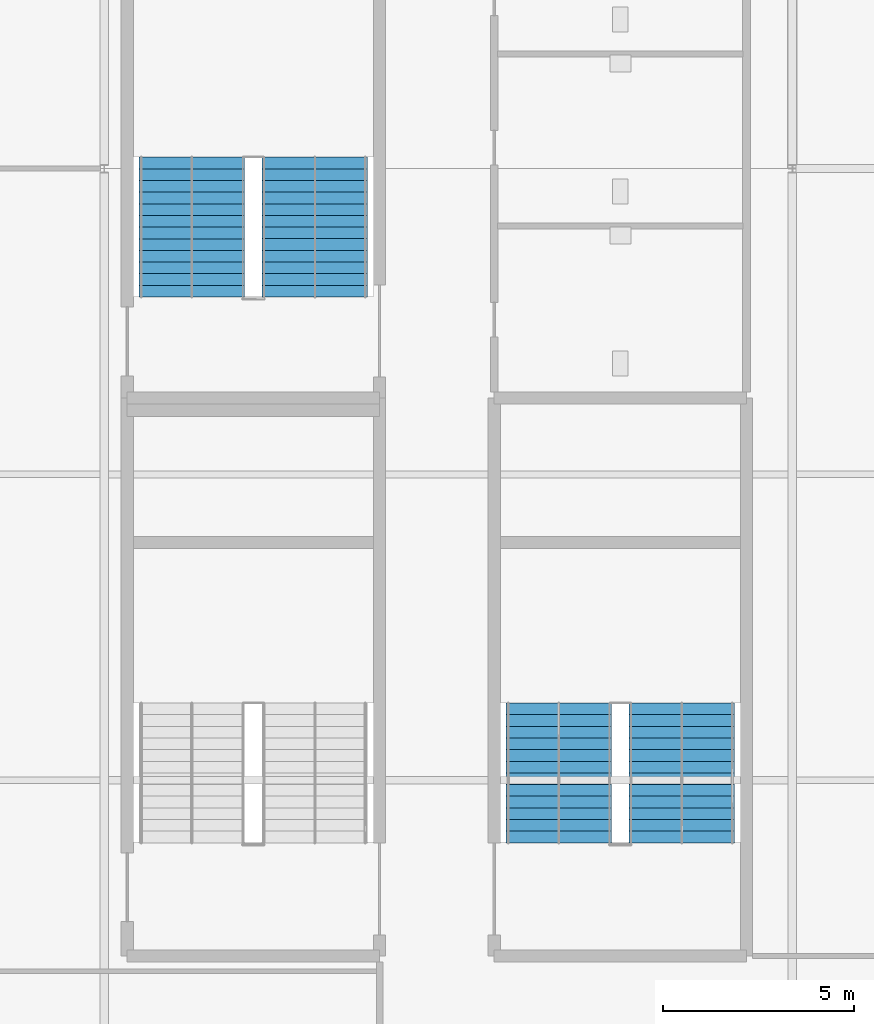
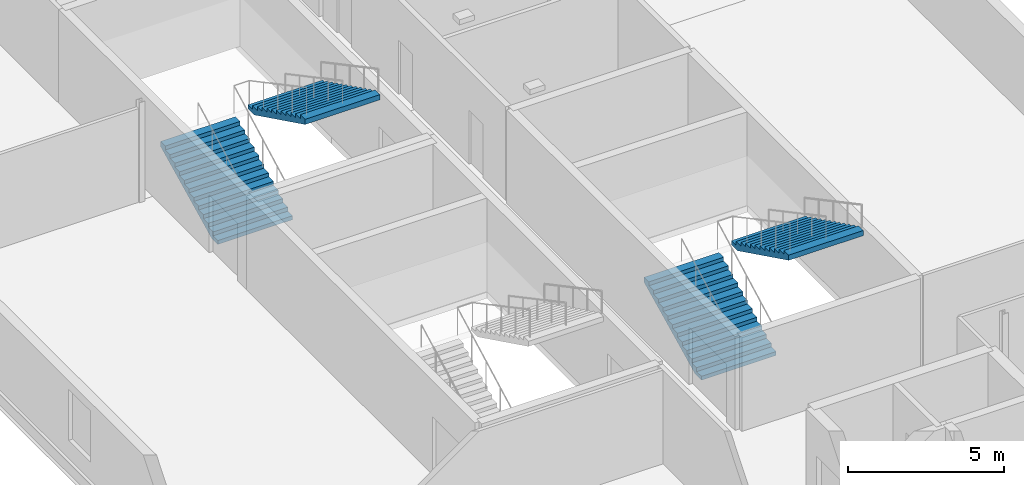
# One storey, part 29 of 35: 4 stair flights, 2 elements without a shape of their own.
"""IFC4 building model written with IfcOpenShell, lengths in metres."""

from ifc_helpers import new_model, si_unit, direction, frame, origin, place, context, subcontext, project, spatial, polygons, material, type_object, element, aggregate, save


model = new_model("IFC4")

# Units and contexts
model_context = context("Model", 3, precision=1e-05, world=origin(), true_north=direction((0.0, 1.0)))
body_context = subcontext(model_context, "Body", "Model", "MODEL_VIEW")
ifc_project = project(units=[si_unit("LENGTHUNIT", "METRE"), si_unit("AREAUNIT", "SQUARE_METRE"), si_unit("VOLUMEUNIT", "CUBIC_METRE"), si_unit("PLANEANGLEUNIT", "RADIAN"), si_unit("MASSUNIT", "GRAM", prefix="KILO")], contexts=[model_context])

# Site, building, storey
site_placement = place(None, origin())
site = spatial("IfcSite", under=ifc_project, at=site_placement, CompositionType="ELEMENT")
building_placement = place(site_placement, origin())
building = spatial("IfcBuilding", under=site, at=building_placement, Name="Kisiwana Market Hall", CompositionType="ELEMENT")
storey_placement = place(building_placement, frame((0.0, 0.0, 61.800048828125)))
storey = spatial("IfcBuildingStorey", under=building, at=storey_placement, Name="L14", CompositionType="ELEMENT", Elevation=61.800048828125)

# Stair, stair flights
ifc_material_1 = material(Name="Concrete C32/40", Category="concrete")
stair_type = type_object("IfcStairType", Name="ST-ESC-3900", PredefinedType="TWO_STRAIGHT_RUN_STAIR", material=ifc_material_1)
stair_1_placement = place(storey_placement, origin())
stair_1 = element("IfcStair", 1, at=stair_1_placement, inside=storey, type_object=stair_type, Name="Escape stair ST-E3-L14", PredefinedType="TWO_STRAIGHT_RUN_STAIR")
ifc_material_2 = material(Name="Concrete C32/40", Category="concrete")
stair_flight_type = type_object("IfcStairFlightType", Name="SF-ESC-3900", PredefinedType="STRAIGHT", material=ifc_material_2)
stair_flight_1_placement = place(storey_placement, frame((182.889892578125, 42.360107421875, 0.0), z_axis=(0.0, 0.0, 1.0), x_axis=(0.0, 1.0, 0.0)))
stair_flight_1 = element("IfcStairFlight", 2, at=stair_flight_1_placement, type_object=stair_flight_type, Name="ST-E3-L14 flight 1", NumberOfRisers=13, NumberOfTreads=12, PredefinedType="STRAIGHT", RiserHeight=0.15, TreadLength=0.305, context=body_context, shape_type="Tessellation", body=[
    polygons([(0.0, -1.380127, 0.0), (0.0, -0.690125, 0.0), (0.0, -0.000122, 0.0), (0.0, 0.68988, 0.0), (0.0, 1.379883, 0.0), (0.0, -1.380127, 0.149902), (0.0, -0.690125, 0.149902), (0.0, -0.000122, 0.149902), (0.0, 0.68988, 0.149902), (0.0, 1.379883, 0.149902), (0.304932, -1.380127, 0.149902), (0.304932, -0.690125, 0.149902), (0.304932, -0.000122, 0.149902), (0.304932, 0.68988, 0.149902), (0.304932, 1.379883, 0.149902), (0.304932, -1.380127, 0.300049), (0.304932, -0.690125, 0.300049), (0.304932, -0.000122, 0.300049), (0.304932, 0.68988, 0.300049), (0.304932, 1.379883, 0.300049), (0.610107, -1.380127, 0.300049), (0.610107, -0.690125, 0.300049), (0.610107, -0.000122, 0.300049), (0.610107, 0.68988, 0.300049), (0.610107, 1.379883, 0.300049), (0.610107, -1.380127, 0.449951), (0.610107, -0.690125, 0.449951), (0.610107, -0.000122, 0.449951), (0.610107, 0.68988, 0.449951), (0.610107, 1.379883, 0.449951), (0.915039, -1.380127, 0.449951), (0.915039, -0.690125, 0.449951), (0.915039, -0.000122, 0.449951), (0.915039, 0.68988, 0.449951), (0.915039, 1.379883, 0.449951), (0.915039, -1.380127, 0.600098), (0.915039, -0.690125, 0.600098), (0.915039, -0.000122, 0.600098), (0.915039, 0.68988, 0.600098), (0.915039, 1.379883, 0.600098), (1.219971, -1.380127, 0.600098), (1.219971, -0.690125, 0.600098), (1.219971, -0.000122, 0.600098), (1.219971, 0.68988, 0.600098), (1.219971, 1.379883, 0.600098), (1.219971, -1.380127, 0.75), (1.219971, -0.690125, 0.75), (1.219971, -0.000122, 0.75), (1.219971, 0.68988, 0.75), (1.219971, 1.379883, 0.75), (1.524902, -1.380127, 0.75), (1.524902, -0.690125, 0.75), (1.524902, -0.000122, 0.75), (1.524902, 0.68988, 0.75), (1.524902, 1.379883, 0.75), (1.524902, -1.380127, 0.899902), (1.524902, -0.690125, 0.899902), (1.524902, -0.000122, 0.899902), (1.524902, 0.68988, 0.899902), (1.524902, 1.379883, 0.899902), (1.830078, -1.380127, 0.899902), (1.830078, -0.690125, 0.899902), (1.830078, -0.000122, 0.899902), (1.830078, 0.68988, 0.899902), (1.830078, 1.379883, 0.899902), (1.830078, -1.380127, 1.050049), (1.830078, -0.690125, 1.050049), (1.830078, -0.000122, 1.050049), (1.830078, 0.68988, 1.050049), (1.830078, 1.379883, 1.050049), (2.13501, -1.380127, 1.050049), (2.13501, -0.690125, 1.050049), (2.13501, -0.000122, 1.050049), (2.13501, 0.68988, 1.050049), (2.13501, 1.379883, 1.050049), (2.13501, -1.380127, 1.199951), (2.13501, -0.690125, 1.199951), (2.13501, -0.000122, 1.199951), (2.13501, 0.68988, 1.199951), (2.13501, 1.379883, 1.199951), (2.439941, -1.380127, 1.199951), (2.439941, -0.690125, 1.199951), (2.439941, -0.000122, 1.199951), (2.439941, 0.68988, 1.199951), (2.439941, 1.379883, 1.199951), (2.439941, -1.380127, 1.350098), (2.439941, -0.690125, 1.350098), (2.439941, -0.000122, 1.350098), (2.439941, 0.68988, 1.350098), (2.439941, 1.379883, 1.350098), (2.745117, -1.380127, 1.350098), (2.745117, -0.690125, 1.350098), (2.745117, -0.000122, 1.350098), (2.745117, 0.68988, 1.350098), (2.745117, 1.379883, 1.350098), (2.745117, -1.380127, 1.5), (2.745117, -0.690125, 1.5), (2.745117, -0.000122, 1.5), (2.745117, 0.68988, 1.5), (2.745117, 1.379883, 1.5), (3.050049, -1.380127, 1.5), (3.050049, -0.690125, 1.5), (3.050049, -0.000122, 1.5), (3.050049, 0.68988, 1.5), (3.050049, 1.379883, 1.5), (3.050049, -1.380127, 1.649902), (3.050049, -0.690125, 1.649902), (3.050049, -0.000122, 1.649902), (3.050049, 0.68988, 1.649902), (3.050049, 1.379883, 1.649902), (3.35498, -1.380127, 1.649902), (3.35498, -0.690125, 1.649902), (3.35498, -0.000122, 1.649902), (3.35498, 0.68988, 1.649902), (3.35498, 1.379883, 1.649902), (3.35498, -1.380127, 1.800049), (3.35498, -0.690125, 1.800049), (3.35498, -0.000122, 1.800049), (3.35498, 0.68988, 1.800049), (3.35498, 1.379883, 1.800049), (3.659912, -1.380127, 1.800049), (3.659912, -0.690125, 1.800049), (3.659912, -0.000122, 1.800049), (3.659912, 0.68988, 1.800049), (3.659912, 1.379883, 1.800049), (3.659912, -1.380127, 1.599365), (3.659912, -0.690125, 1.599365), (3.659912, -0.000122, 1.599365), (3.659912, 0.68988, 1.599365), (3.659912, 1.379883, 1.599365), (0.407715, -1.380127, 0.0), (0.407715, -0.690125, 0.0), (0.407715, -0.000122, 0.0), (0.407715, 0.68988, 0.0), (0.407715, 1.379883, 0.0)], [[[1, 6, 7, 2]], [[2, 7, 8, 3]], [[3, 8, 9, 4]], [[4, 9, 10, 5]], [[6, 11, 12, 7]], [[7, 12, 13, 8]], [[8, 13, 14, 9]], [[9, 14, 15, 10]], [[11, 16, 17, 12]], [[12, 17, 18, 13]], [[13, 18, 19, 14]], [[14, 19, 20, 15]], [[16, 21, 22, 17]], [[17, 22, 23, 18]], [[18, 23, 24, 19]], [[19, 24, 25, 20]], [[21, 26, 27, 22]], [[22, 27, 28, 23]], [[23, 28, 29, 24]], [[24, 29, 30, 25]], [[26, 31, 32, 27]], [[27, 32, 33, 28]], [[28, 33, 34, 29]], [[29, 34, 35, 30]], [[31, 36, 37, 32]], [[32, 37, 38, 33]], [[33, 38, 39, 34]], [[34, 39, 40, 35]], [[36, 41, 42, 37]], [[37, 42, 43, 38]], [[38, 43, 44, 39]], [[39, 44, 45, 40]], [[41, 46, 47, 42]], [[42, 47, 48, 43]], [[43, 48, 49, 44]], [[44, 49, 50, 45]], [[46, 51, 52, 47]], [[47, 52, 53, 48]], [[48, 53, 54, 49]], [[49, 54, 55, 50]], [[51, 56, 57, 52]], [[52, 57, 58, 53]], [[53, 58, 59, 54]], [[54, 59, 60, 55]], [[56, 61, 62, 57]], [[57, 62, 63, 58]], [[58, 63, 64, 59]], [[59, 64, 65, 60]], [[61, 66, 67, 62]], [[62, 67, 68, 63]], [[63, 68, 69, 64]], [[64, 69, 70, 65]], [[66, 71, 72, 67]], [[67, 72, 73, 68]], [[68, 73, 74, 69]], [[69, 74, 75, 70]], [[71, 76, 77, 72]], [[72, 77, 78, 73]], [[73, 78, 79, 74]], [[74, 79, 80, 75]], [[76, 81, 82, 77]], [[77, 82, 83, 78]], [[78, 83, 84, 79]], [[79, 84, 85, 80]], [[81, 86, 87, 82]], [[82, 87, 88, 83]], [[83, 88, 89, 84]], [[84, 89, 90, 85]], [[86, 91, 92, 87]], [[87, 92, 93, 88]], [[88, 93, 94, 89]], [[89, 94, 95, 90]], [[91, 96, 97, 92]], [[92, 97, 98, 93]], [[93, 98, 99, 94]], [[94, 99, 100, 95]], [[96, 101, 102, 97]], [[97, 102, 103, 98]], [[98, 103, 104, 99]], [[99, 104, 105, 100]], [[101, 106, 107, 102]], [[102, 107, 108, 103]], [[103, 108, 109, 104]], [[104, 109, 110, 105]], [[106, 111, 112, 107]], [[107, 112, 113, 108]], [[108, 113, 114, 109]], [[109, 114, 115, 110]], [[111, 116, 117, 112]], [[112, 117, 118, 113]], [[113, 118, 119, 114]], [[114, 119, 120, 115]], [[116, 121, 122, 117]], [[117, 122, 123, 118]], [[118, 123, 124, 119]], [[119, 124, 125, 120]], [[121, 126, 127, 122]], [[122, 127, 128, 123]], [[123, 128, 129, 124]], [[124, 129, 130, 125]], [[126, 131, 132, 127]], [[127, 132, 133, 128]], [[128, 133, 134, 129]], [[129, 134, 135, 130]], [[131, 1, 2, 132]], [[132, 2, 3, 133]], [[133, 3, 4, 134]], [[134, 4, 5, 135]], [[131, 126, 121, 116, 111, 106, 101, 96, 91, 86, 81, 76, 71, 66, 61, 56, 51, 46, 41, 36, 31, 26, 21, 16, 11, 6, 1]], [[5, 10, 15, 20, 25, 30, 35, 40, 45, 50, 55, 60, 65, 70, 75, 80, 85, 90, 95, 100, 105, 110, 115, 120, 125, 130, 135]]], closed=True),
])
stair_flight_2_placement = place(storey_placement, frame((186.110107421875, 46.02001953125, 1.949951171875), z_axis=(0.0, 0.0, 1.0), x_axis=(0.0, -1.0, 0.0)))
stair_flight_2 = element("IfcStairFlight", 3, at=stair_flight_2_placement, type_object=stair_flight_type, Name="ST-E3-L14 flight 2", NumberOfRisers=13, NumberOfTreads=12, PredefinedType="STRAIGHT", RiserHeight=0.15, TreadLength=0.305, context=body_context, shape_type="Tessellation", body=[
    polygons([(0.0, -1.380127, 0.0), (0.0, -0.690125, 0.0), (0.0, -0.000122, 0.0), (0.0, 0.68988, 0.0), (0.0, 1.379883, 0.0), (0.0, -1.380127, 0.149902), (0.0, -0.690125, 0.149902), (0.0, -0.000122, 0.149902), (0.0, 0.68988, 0.149902), (0.0, 1.379883, 0.149902), (0.304932, -1.380127, 0.149902), (0.304932, -0.690125, 0.149902), (0.304932, -0.000122, 0.149902), (0.304932, 0.68988, 0.149902), (0.304932, 1.379883, 0.149902), (0.304932, -1.380127, 0.300049), (0.304932, -0.690125, 0.300049), (0.304932, -0.000122, 0.300049), (0.304932, 0.68988, 0.300049), (0.304932, 1.379883, 0.300049), (0.610107, -1.380127, 0.300049), (0.610107, -0.690125, 0.300049), (0.610107, -0.000122, 0.300049), (0.610107, 0.68988, 0.300049), (0.610107, 1.379883, 0.300049), (0.610107, -1.380127, 0.449951), (0.610107, -0.690125, 0.449951), (0.610107, -0.000122, 0.449951), (0.610107, 0.68988, 0.449951), (0.610107, 1.379883, 0.449951), (0.915039, -1.380127, 0.449951), (0.915039, -0.690125, 0.449951), (0.915039, -0.000122, 0.449951), (0.915039, 0.68988, 0.449951), (0.915039, 1.379883, 0.449951), (0.915039, -1.380127, 0.600098), (0.915039, -0.690125, 0.600098), (0.915039, -0.000122, 0.600098), (0.915039, 0.68988, 0.600098), (0.915039, 1.379883, 0.600098), (1.219971, -1.380127, 0.600098), (1.219971, -0.690125, 0.600098), (1.219971, -0.000122, 0.600098), (1.219971, 0.68988, 0.600098), (1.219971, 1.379883, 0.600098), (1.219971, -1.380127, 0.75), (1.219971, -0.690125, 0.75), (1.219971, -0.000122, 0.75), (1.219971, 0.68988, 0.75), (1.219971, 1.379883, 0.75), (1.524902, -1.380127, 0.75), (1.524902, -0.690125, 0.75), (1.524902, -0.000122, 0.75), (1.524902, 0.68988, 0.75), (1.524902, 1.379883, 0.75), (1.524902, -1.380127, 0.899902), (1.524902, -0.690125, 0.899902), (1.524902, -0.000122, 0.899902), (1.524902, 0.68988, 0.899902), (1.524902, 1.379883, 0.899902), (1.830078, -1.380127, 0.899902), (1.830078, -0.690125, 0.899902), (1.830078, -0.000122, 0.899902), (1.830078, 0.68988, 0.899902), (1.830078, 1.379883, 0.899902), (1.830078, -1.380127, 1.050049), (1.830078, -0.690125, 1.050049), (1.830078, -0.000122, 1.050049), (1.830078, 0.68988, 1.050049), (1.830078, 1.379883, 1.050049), (2.13501, -1.380127, 1.050049), (2.13501, -0.690125, 1.050049), (2.13501, -0.000122, 1.050049), (2.13501, 0.68988, 1.050049), (2.13501, 1.379883, 1.050049), (2.13501, -1.380127, 1.199951), (2.13501, -0.690125, 1.199951), (2.13501, -0.000122, 1.199951), (2.13501, 0.68988, 1.199951), (2.13501, 1.379883, 1.199951), (2.439941, -1.380127, 1.199951), (2.439941, -0.690125, 1.199951), (2.439941, -0.000122, 1.199951), (2.439941, 0.68988, 1.199951), (2.439941, 1.379883, 1.199951), (2.439941, -1.380127, 1.350098), (2.439941, -0.690125, 1.350098), (2.439941, -0.000122, 1.350098), (2.439941, 0.68988, 1.350098), (2.439941, 1.379883, 1.350098), (2.745117, -1.380127, 1.350098), (2.745117, -0.690125, 1.350098), (2.745117, -0.000122, 1.350098), (2.745117, 0.68988, 1.350098), (2.745117, 1.379883, 1.350098), (2.745117, -1.380127, 1.5), (2.745117, -0.690125, 1.5), (2.745117, -0.000122, 1.5), (2.745117, 0.68988, 1.5), (2.745117, 1.379883, 1.5), (3.050049, -1.380127, 1.5), (3.050049, -0.690125, 1.5), (3.050049, -0.000122, 1.5), (3.050049, 0.68988, 1.5), (3.050049, 1.379883, 1.5), (3.050049, -1.380127, 1.649902), (3.050049, -0.690125, 1.649902), (3.050049, -0.000122, 1.649902), (3.050049, 0.68988, 1.649902), (3.050049, 1.379883, 1.649902), (3.35498, -1.380127, 1.649902), (3.35498, -0.690125, 1.649902), (3.35498, -0.000122, 1.649902), (3.35498, 0.68988, 1.649902), (3.35498, 1.379883, 1.649902), (3.35498, -1.380127, 1.800049), (3.35498, -0.690125, 1.800049), (3.35498, -0.000122, 1.800049), (3.35498, 0.68988, 1.800049), (3.35498, 1.379883, 1.800049), (3.659912, -1.380127, 1.800049), (3.659912, -0.690125, 1.800049), (3.659912, -0.000122, 1.800049), (3.659912, 0.68988, 1.800049), (3.659912, 1.379883, 1.800049), (3.659912, -1.380127, 1.599365), (3.659912, -0.690125, 1.599365), (3.659912, -0.000122, 1.599365), (3.659912, 0.68988, 1.599365), (3.659912, 1.379883, 1.599365), (0.407715, -1.380127, 0.0), (0.407715, -0.690125, 0.0), (0.407715, -0.000122, 0.0), (0.407715, 0.68988, 0.0), (0.407715, 1.379883, 0.0)], [[[1, 6, 7, 2]], [[2, 7, 8, 3]], [[3, 8, 9, 4]], [[4, 9, 10, 5]], [[6, 11, 12, 7]], [[7, 12, 13, 8]], [[8, 13, 14, 9]], [[9, 14, 15, 10]], [[11, 16, 17, 12]], [[12, 17, 18, 13]], [[13, 18, 19, 14]], [[14, 19, 20, 15]], [[16, 21, 22, 17]], [[17, 22, 23, 18]], [[18, 23, 24, 19]], [[19, 24, 25, 20]], [[21, 26, 27, 22]], [[22, 27, 28, 23]], [[23, 28, 29, 24]], [[24, 29, 30, 25]], [[26, 31, 32, 27]], [[27, 32, 33, 28]], [[28, 33, 34, 29]], [[29, 34, 35, 30]], [[31, 36, 37, 32]], [[32, 37, 38, 33]], [[33, 38, 39, 34]], [[34, 39, 40, 35]], [[36, 41, 42, 37]], [[37, 42, 43, 38]], [[38, 43, 44, 39]], [[39, 44, 45, 40]], [[41, 46, 47, 42]], [[42, 47, 48, 43]], [[43, 48, 49, 44]], [[44, 49, 50, 45]], [[46, 51, 52, 47]], [[47, 52, 53, 48]], [[48, 53, 54, 49]], [[49, 54, 55, 50]], [[51, 56, 57, 52]], [[52, 57, 58, 53]], [[53, 58, 59, 54]], [[54, 59, 60, 55]], [[56, 61, 62, 57]], [[57, 62, 63, 58]], [[58, 63, 64, 59]], [[59, 64, 65, 60]], [[61, 66, 67, 62]], [[62, 67, 68, 63]], [[63, 68, 69, 64]], [[64, 69, 70, 65]], [[66, 71, 72, 67]], [[67, 72, 73, 68]], [[68, 73, 74, 69]], [[69, 74, 75, 70]], [[71, 76, 77, 72]], [[72, 77, 78, 73]], [[73, 78, 79, 74]], [[74, 79, 80, 75]], [[76, 81, 82, 77]], [[77, 82, 83, 78]], [[78, 83, 84, 79]], [[79, 84, 85, 80]], [[81, 86, 87, 82]], [[82, 87, 88, 83]], [[83, 88, 89, 84]], [[84, 89, 90, 85]], [[86, 91, 92, 87]], [[87, 92, 93, 88]], [[88, 93, 94, 89]], [[89, 94, 95, 90]], [[91, 96, 97, 92]], [[92, 97, 98, 93]], [[93, 98, 99, 94]], [[94, 99, 100, 95]], [[96, 101, 102, 97]], [[97, 102, 103, 98]], [[98, 103, 104, 99]], [[99, 104, 105, 100]], [[101, 106, 107, 102]], [[102, 107, 108, 103]], [[103, 108, 109, 104]], [[104, 109, 110, 105]], [[106, 111, 112, 107]], [[107, 112, 113, 108]], [[108, 113, 114, 109]], [[109, 114, 115, 110]], [[111, 116, 117, 112]], [[112, 117, 118, 113]], [[113, 118, 119, 114]], [[114, 119, 120, 115]], [[116, 121, 122, 117]], [[117, 122, 123, 118]], [[118, 123, 124, 119]], [[119, 124, 125, 120]], [[121, 126, 127, 122]], [[122, 127, 128, 123]], [[123, 128, 129, 124]], [[124, 129, 130, 125]], [[126, 131, 132, 127]], [[127, 132, 133, 128]], [[128, 133, 134, 129]], [[129, 134, 135, 130]], [[131, 1, 2, 132]], [[132, 2, 3, 133]], [[133, 3, 4, 134]], [[134, 4, 5, 135]], [[131, 126, 121, 116, 111, 106, 101, 96, 91, 86, 81, 76, 71, 66, 61, 56, 51, 46, 41, 36, 31, 26, 21, 16, 11, 6, 1]], [[5, 10, 15, 20, 25, 30, 35, 40, 45, 50, 55, 60, 65, 70, 75, 80, 85, 90, 95, 100, 105, 110, 115, 120, 125, 130, 135]]], closed=True),
])
aggregate(stair_1, [stair_flight_1, stair_flight_2])

stair_2_placement = place(storey_placement, origin())
stair_2 = element("IfcStair", 4, at=stair_2_placement, inside=storey, type_object=stair_type, Name="Escape stair ST-E5-L14", PredefinedType="TWO_STRAIGHT_RUN_STAIR")
stair_flight_3_placement = place(storey_placement, frame((173.2900390625, 56.639892578125, 0.0), z_axis=(0.0, 0.0, 1.0), x_axis=(0.0, 1.0, 0.0)))
stair_flight_3 = element("IfcStairFlight", 5, at=stair_flight_3_placement, type_object=stair_flight_type, Name="ST-E5-L14 flight 1", NumberOfRisers=13, NumberOfTreads=12, PredefinedType="STRAIGHT", RiserHeight=0.15, TreadLength=0.305, context=body_context, shape_type="Tessellation", body=[
    polygons([(0.0, -1.380127, 0.0), (0.0, -0.690125, 0.0), (0.0, -0.000122, 0.0), (0.0, 0.68988, 0.0), (0.0, 1.379883, 0.0), (0.0, -1.380127, 0.149902), (0.0, -0.690125, 0.149902), (0.0, -0.000122, 0.149902), (0.0, 0.68988, 0.149902), (0.0, 1.379883, 0.149902), (0.304932, -1.380127, 0.149902), (0.304932, -0.690125, 0.149902), (0.304932, -0.000122, 0.149902), (0.304932, 0.68988, 0.149902), (0.304932, 1.379883, 0.149902), (0.304932, -1.380127, 0.300049), (0.304932, -0.690125, 0.300049), (0.304932, -0.000122, 0.300049), (0.304932, 0.68988, 0.300049), (0.304932, 1.379883, 0.300049), (0.610107, -1.380127, 0.300049), (0.610107, -0.690125, 0.300049), (0.610107, -0.000122, 0.300049), (0.610107, 0.68988, 0.300049), (0.610107, 1.379883, 0.300049), (0.610107, -1.380127, 0.449951), (0.610107, -0.690125, 0.449951), (0.610107, -0.000122, 0.449951), (0.610107, 0.68988, 0.449951), (0.610107, 1.379883, 0.449951), (0.915039, -1.380127, 0.449951), (0.915039, -0.690125, 0.449951), (0.915039, -0.000122, 0.449951), (0.915039, 0.68988, 0.449951), (0.915039, 1.379883, 0.449951), (0.915039, -1.380127, 0.600098), (0.915039, -0.690125, 0.600098), (0.915039, -0.000122, 0.600098), (0.915039, 0.68988, 0.600098), (0.915039, 1.379883, 0.600098), (1.219971, -1.380127, 0.600098), (1.219971, -0.690125, 0.600098), (1.219971, -0.000122, 0.600098), (1.219971, 0.68988, 0.600098), (1.219971, 1.379883, 0.600098), (1.219971, -1.380127, 0.75), (1.219971, -0.690125, 0.75), (1.219971, -0.000122, 0.75), (1.219971, 0.68988, 0.75), (1.219971, 1.379883, 0.75), (1.524902, -1.380127, 0.75), (1.524902, -0.690125, 0.75), (1.524902, -0.000122, 0.75), (1.524902, 0.68988, 0.75), (1.524902, 1.379883, 0.75), (1.524902, -1.380127, 0.899902), (1.524902, -0.690125, 0.899902), (1.524902, -0.000122, 0.899902), (1.524902, 0.68988, 0.899902), (1.524902, 1.379883, 0.899902), (1.830078, -1.380127, 0.899902), (1.830078, -0.690125, 0.899902), (1.830078, -0.000122, 0.899902), (1.830078, 0.68988, 0.899902), (1.830078, 1.379883, 0.899902), (1.830078, -1.380127, 1.050049), (1.830078, -0.690125, 1.050049), (1.830078, -0.000122, 1.050049), (1.830078, 0.68988, 1.050049), (1.830078, 1.379883, 1.050049), (2.13501, -1.380127, 1.050049), (2.13501, -0.690125, 1.050049), (2.13501, -0.000122, 1.050049), (2.13501, 0.68988, 1.050049), (2.13501, 1.379883, 1.050049), (2.13501, -1.380127, 1.199951), (2.13501, -0.690125, 1.199951), (2.13501, -0.000122, 1.199951), (2.13501, 0.68988, 1.199951), (2.13501, 1.379883, 1.199951), (2.439941, -1.380127, 1.199951), (2.439941, -0.690125, 1.199951), (2.439941, -0.000122, 1.199951), (2.439941, 0.68988, 1.199951), (2.439941, 1.379883, 1.199951), (2.439941, -1.380127, 1.350098), (2.439941, -0.690125, 1.350098), (2.439941, -0.000122, 1.350098), (2.439941, 0.68988, 1.350098), (2.439941, 1.379883, 1.350098), (2.745117, -1.380127, 1.350098), (2.745117, -0.690125, 1.350098), (2.745117, -0.000122, 1.350098), (2.745117, 0.68988, 1.350098), (2.745117, 1.379883, 1.350098), (2.745117, -1.380127, 1.5), (2.745117, -0.690125, 1.5), (2.745117, -0.000122, 1.5), (2.745117, 0.68988, 1.5), (2.745117, 1.379883, 1.5), (3.050049, -1.380127, 1.5), (3.050049, -0.690125, 1.5), (3.050049, -0.000122, 1.5), (3.050049, 0.68988, 1.5), (3.050049, 1.379883, 1.5), (3.050049, -1.380127, 1.649902), (3.050049, -0.690125, 1.649902), (3.050049, -0.000122, 1.649902), (3.050049, 0.68988, 1.649902), (3.050049, 1.379883, 1.649902), (3.35498, -1.380127, 1.649902), (3.35498, -0.690125, 1.649902), (3.35498, -0.000122, 1.649902), (3.35498, 0.68988, 1.649902), (3.35498, 1.379883, 1.649902), (3.35498, -1.380127, 1.800049), (3.35498, -0.690125, 1.800049), (3.35498, -0.000122, 1.800049), (3.35498, 0.68988, 1.800049), (3.35498, 1.379883, 1.800049), (3.659912, -1.380127, 1.800049), (3.659912, -0.690125, 1.800049), (3.659912, -0.000122, 1.800049), (3.659912, 0.68988, 1.800049), (3.659912, 1.379883, 1.800049), (3.659912, -1.380127, 1.599365), (3.659912, -0.690125, 1.599365), (3.659912, -0.000122, 1.599365), (3.659912, 0.68988, 1.599365), (3.659912, 1.379883, 1.599365), (0.407715, -1.380127, 0.0), (0.407715, -0.690125, 0.0), (0.407715, -0.000122, 0.0), (0.407715, 0.68988, 0.0), (0.407715, 1.379883, 0.0)], [[[1, 6, 7, 2]], [[2, 7, 8, 3]], [[3, 8, 9, 4]], [[4, 9, 10, 5]], [[6, 11, 12, 7]], [[7, 12, 13, 8]], [[8, 13, 14, 9]], [[9, 14, 15, 10]], [[11, 16, 17, 12]], [[12, 17, 18, 13]], [[13, 18, 19, 14]], [[14, 19, 20, 15]], [[16, 21, 22, 17]], [[17, 22, 23, 18]], [[18, 23, 24, 19]], [[19, 24, 25, 20]], [[21, 26, 27, 22]], [[22, 27, 28, 23]], [[23, 28, 29, 24]], [[24, 29, 30, 25]], [[26, 31, 32, 27]], [[27, 32, 33, 28]], [[28, 33, 34, 29]], [[29, 34, 35, 30]], [[31, 36, 37, 32]], [[32, 37, 38, 33]], [[33, 38, 39, 34]], [[34, 39, 40, 35]], [[36, 41, 42, 37]], [[37, 42, 43, 38]], [[38, 43, 44, 39]], [[39, 44, 45, 40]], [[41, 46, 47, 42]], [[42, 47, 48, 43]], [[43, 48, 49, 44]], [[44, 49, 50, 45]], [[46, 51, 52, 47]], [[47, 52, 53, 48]], [[48, 53, 54, 49]], [[49, 54, 55, 50]], [[51, 56, 57, 52]], [[52, 57, 58, 53]], [[53, 58, 59, 54]], [[54, 59, 60, 55]], [[56, 61, 62, 57]], [[57, 62, 63, 58]], [[58, 63, 64, 59]], [[59, 64, 65, 60]], [[61, 66, 67, 62]], [[62, 67, 68, 63]], [[63, 68, 69, 64]], [[64, 69, 70, 65]], [[66, 71, 72, 67]], [[67, 72, 73, 68]], [[68, 73, 74, 69]], [[69, 74, 75, 70]], [[71, 76, 77, 72]], [[72, 77, 78, 73]], [[73, 78, 79, 74]], [[74, 79, 80, 75]], [[76, 81, 82, 77]], [[77, 82, 83, 78]], [[78, 83, 84, 79]], [[79, 84, 85, 80]], [[81, 86, 87, 82]], [[82, 87, 88, 83]], [[83, 88, 89, 84]], [[84, 89, 90, 85]], [[86, 91, 92, 87]], [[87, 92, 93, 88]], [[88, 93, 94, 89]], [[89, 94, 95, 90]], [[91, 96, 97, 92]], [[92, 97, 98, 93]], [[93, 98, 99, 94]], [[94, 99, 100, 95]], [[96, 101, 102, 97]], [[97, 102, 103, 98]], [[98, 103, 104, 99]], [[99, 104, 105, 100]], [[101, 106, 107, 102]], [[102, 107, 108, 103]], [[103, 108, 109, 104]], [[104, 109, 110, 105]], [[106, 111, 112, 107]], [[107, 112, 113, 108]], [[108, 113, 114, 109]], [[109, 114, 115, 110]], [[111, 116, 117, 112]], [[112, 117, 118, 113]], [[113, 118, 119, 114]], [[114, 119, 120, 115]], [[116, 121, 122, 117]], [[117, 122, 123, 118]], [[118, 123, 124, 119]], [[119, 124, 125, 120]], [[121, 126, 127, 122]], [[122, 127, 128, 123]], [[123, 128, 129, 124]], [[124, 129, 130, 125]], [[126, 131, 132, 127]], [[127, 132, 133, 128]], [[128, 133, 134, 129]], [[129, 134, 135, 130]], [[131, 1, 2, 132]], [[132, 2, 3, 133]], [[133, 3, 4, 134]], [[134, 4, 5, 135]], [[131, 126, 121, 116, 111, 106, 101, 96, 91, 86, 81, 76, 71, 66, 61, 56, 51, 46, 41, 36, 31, 26, 21, 16, 11, 6, 1]], [[5, 10, 15, 20, 25, 30, 35, 40, 45, 50, 55, 60, 65, 70, 75, 80, 85, 90, 95, 100, 105, 110, 115, 120, 125, 130, 135]]], closed=True),
])
stair_flight_4_placement = place(storey_placement, frame((176.510009765625, 60.300048828125, 1.949951171875), z_axis=(0.0, 0.0, 1.0), x_axis=(0.0, -1.0, 0.0)))
stair_flight_4 = element("IfcStairFlight", 6, at=stair_flight_4_placement, type_object=stair_flight_type, Name="ST-E5-L14 flight 2", NumberOfRisers=13, NumberOfTreads=12, PredefinedType="STRAIGHT", RiserHeight=0.15, TreadLength=0.305, context=body_context, shape_type="Tessellation", body=[
    polygons([(0.0, -1.380127, 0.0), (0.0, -0.690125, 0.0), (0.0, -0.000122, 0.0), (0.0, 0.68988, 0.0), (0.0, 1.379883, 0.0), (0.0, -1.380127, 0.149902), (0.0, -0.690125, 0.149902), (0.0, -0.000122, 0.149902), (0.0, 0.68988, 0.149902), (0.0, 1.379883, 0.149902), (0.304932, -1.380127, 0.149902), (0.304932, -0.690125, 0.149902), (0.304932, -0.000122, 0.149902), (0.304932, 0.68988, 0.149902), (0.304932, 1.379883, 0.149902), (0.304932, -1.380127, 0.300049), (0.304932, -0.690125, 0.300049), (0.304932, -0.000122, 0.300049), (0.304932, 0.68988, 0.300049), (0.304932, 1.379883, 0.300049), (0.610107, -1.380127, 0.300049), (0.610107, -0.690125, 0.300049), (0.610107, -0.000122, 0.300049), (0.610107, 0.68988, 0.300049), (0.610107, 1.379883, 0.300049), (0.610107, -1.380127, 0.449951), (0.610107, -0.690125, 0.449951), (0.610107, -0.000122, 0.449951), (0.610107, 0.68988, 0.449951), (0.610107, 1.379883, 0.449951), (0.915039, -1.380127, 0.449951), (0.915039, -0.690125, 0.449951), (0.915039, -0.000122, 0.449951), (0.915039, 0.68988, 0.449951), (0.915039, 1.379883, 0.449951), (0.915039, -1.380127, 0.600098), (0.915039, -0.690125, 0.600098), (0.915039, -0.000122, 0.600098), (0.915039, 0.68988, 0.600098), (0.915039, 1.379883, 0.600098), (1.219971, -1.380127, 0.600098), (1.219971, -0.690125, 0.600098), (1.219971, -0.000122, 0.600098), (1.219971, 0.68988, 0.600098), (1.219971, 1.379883, 0.600098), (1.219971, -1.380127, 0.75), (1.219971, -0.690125, 0.75), (1.219971, -0.000122, 0.75), (1.219971, 0.68988, 0.75), (1.219971, 1.379883, 0.75), (1.524902, -1.380127, 0.75), (1.524902, -0.690125, 0.75), (1.524902, -0.000122, 0.75), (1.524902, 0.68988, 0.75), (1.524902, 1.379883, 0.75), (1.524902, -1.380127, 0.899902), (1.524902, -0.690125, 0.899902), (1.524902, -0.000122, 0.899902), (1.524902, 0.68988, 0.899902), (1.524902, 1.379883, 0.899902), (1.830078, -1.380127, 0.899902), (1.830078, -0.690125, 0.899902), (1.830078, -0.000122, 0.899902), (1.830078, 0.68988, 0.899902), (1.830078, 1.379883, 0.899902), (1.830078, -1.380127, 1.050049), (1.830078, -0.690125, 1.050049), (1.830078, -0.000122, 1.050049), (1.830078, 0.68988, 1.050049), (1.830078, 1.379883, 1.050049), (2.13501, -1.380127, 1.050049), (2.13501, -0.690125, 1.050049), (2.13501, -0.000122, 1.050049), (2.13501, 0.68988, 1.050049), (2.13501, 1.379883, 1.050049), (2.13501, -1.380127, 1.199951), (2.13501, -0.690125, 1.199951), (2.13501, -0.000122, 1.199951), (2.13501, 0.68988, 1.199951), (2.13501, 1.379883, 1.199951), (2.439941, -1.380127, 1.199951), (2.439941, -0.690125, 1.199951), (2.439941, -0.000122, 1.199951), (2.439941, 0.68988, 1.199951), (2.439941, 1.379883, 1.199951), (2.439941, -1.380127, 1.350098), (2.439941, -0.690125, 1.350098), (2.439941, -0.000122, 1.350098), (2.439941, 0.68988, 1.350098), (2.439941, 1.379883, 1.350098), (2.745117, -1.380127, 1.350098), (2.745117, -0.690125, 1.350098), (2.745117, -0.000122, 1.350098), (2.745117, 0.68988, 1.350098), (2.745117, 1.379883, 1.350098), (2.745117, -1.380127, 1.5), (2.745117, -0.690125, 1.5), (2.745117, -0.000122, 1.5), (2.745117, 0.68988, 1.5), (2.745117, 1.379883, 1.5), (3.050049, -1.380127, 1.5), (3.050049, -0.690125, 1.5), (3.050049, -0.000122, 1.5), (3.050049, 0.68988, 1.5), (3.050049, 1.379883, 1.5), (3.050049, -1.380127, 1.649902), (3.050049, -0.690125, 1.649902), (3.050049, -0.000122, 1.649902), (3.050049, 0.68988, 1.649902), (3.050049, 1.379883, 1.649902), (3.35498, -1.380127, 1.649902), (3.35498, -0.690125, 1.649902), (3.35498, -0.000122, 1.649902), (3.35498, 0.68988, 1.649902), (3.35498, 1.379883, 1.649902), (3.35498, -1.380127, 1.800049), (3.35498, -0.690125, 1.800049), (3.35498, -0.000122, 1.800049), (3.35498, 0.68988, 1.800049), (3.35498, 1.379883, 1.800049), (3.659912, -1.380127, 1.800049), (3.659912, -0.690125, 1.800049), (3.659912, -0.000122, 1.800049), (3.659912, 0.68988, 1.800049), (3.659912, 1.379883, 1.800049), (3.659912, -1.380127, 1.599365), (3.659912, -0.690125, 1.599365), (3.659912, -0.000122, 1.599365), (3.659912, 0.68988, 1.599365), (3.659912, 1.379883, 1.599365), (0.407715, -1.380127, 0.0), (0.407715, -0.690125, 0.0), (0.407715, -0.000122, 0.0), (0.407715, 0.68988, 0.0), (0.407715, 1.379883, 0.0)], [[[1, 6, 7, 2]], [[2, 7, 8, 3]], [[3, 8, 9, 4]], [[4, 9, 10, 5]], [[6, 11, 12, 7]], [[7, 12, 13, 8]], [[8, 13, 14, 9]], [[9, 14, 15, 10]], [[11, 16, 17, 12]], [[12, 17, 18, 13]], [[13, 18, 19, 14]], [[14, 19, 20, 15]], [[16, 21, 22, 17]], [[17, 22, 23, 18]], [[18, 23, 24, 19]], [[19, 24, 25, 20]], [[21, 26, 27, 22]], [[22, 27, 28, 23]], [[23, 28, 29, 24]], [[24, 29, 30, 25]], [[26, 31, 32, 27]], [[27, 32, 33, 28]], [[28, 33, 34, 29]], [[29, 34, 35, 30]], [[31, 36, 37, 32]], [[32, 37, 38, 33]], [[33, 38, 39, 34]], [[34, 39, 40, 35]], [[36, 41, 42, 37]], [[37, 42, 43, 38]], [[38, 43, 44, 39]], [[39, 44, 45, 40]], [[41, 46, 47, 42]], [[42, 47, 48, 43]], [[43, 48, 49, 44]], [[44, 49, 50, 45]], [[46, 51, 52, 47]], [[47, 52, 53, 48]], [[48, 53, 54, 49]], [[49, 54, 55, 50]], [[51, 56, 57, 52]], [[52, 57, 58, 53]], [[53, 58, 59, 54]], [[54, 59, 60, 55]], [[56, 61, 62, 57]], [[57, 62, 63, 58]], [[58, 63, 64, 59]], [[59, 64, 65, 60]], [[61, 66, 67, 62]], [[62, 67, 68, 63]], [[63, 68, 69, 64]], [[64, 69, 70, 65]], [[66, 71, 72, 67]], [[67, 72, 73, 68]], [[68, 73, 74, 69]], [[69, 74, 75, 70]], [[71, 76, 77, 72]], [[72, 77, 78, 73]], [[73, 78, 79, 74]], [[74, 79, 80, 75]], [[76, 81, 82, 77]], [[77, 82, 83, 78]], [[78, 83, 84, 79]], [[79, 84, 85, 80]], [[81, 86, 87, 82]], [[82, 87, 88, 83]], [[83, 88, 89, 84]], [[84, 89, 90, 85]], [[86, 91, 92, 87]], [[87, 92, 93, 88]], [[88, 93, 94, 89]], [[89, 94, 95, 90]], [[91, 96, 97, 92]], [[92, 97, 98, 93]], [[93, 98, 99, 94]], [[94, 99, 100, 95]], [[96, 101, 102, 97]], [[97, 102, 103, 98]], [[98, 103, 104, 99]], [[99, 104, 105, 100]], [[101, 106, 107, 102]], [[102, 107, 108, 103]], [[103, 108, 109, 104]], [[104, 109, 110, 105]], [[106, 111, 112, 107]], [[107, 112, 113, 108]], [[108, 113, 114, 109]], [[109, 114, 115, 110]], [[111, 116, 117, 112]], [[112, 117, 118, 113]], [[113, 118, 119, 114]], [[114, 119, 120, 115]], [[116, 121, 122, 117]], [[117, 122, 123, 118]], [[118, 123, 124, 119]], [[119, 124, 125, 120]], [[121, 126, 127, 122]], [[122, 127, 128, 123]], [[123, 128, 129, 124]], [[124, 129, 130, 125]], [[126, 131, 132, 127]], [[127, 132, 133, 128]], [[128, 133, 134, 129]], [[129, 134, 135, 130]], [[131, 1, 2, 132]], [[132, 2, 3, 133]], [[133, 3, 4, 134]], [[134, 4, 5, 135]], [[131, 126, 121, 116, 111, 106, 101, 96, 91, 86, 81, 76, 71, 66, 61, 56, 51, 46, 41, 36, 31, 26, 21, 16, 11, 6, 1]], [[5, 10, 15, 20, 25, 30, 35, 40, 45, 50, 55, 60, 65, 70, 75, 80, 85, 90, 95, 100, 105, 110, 115, 120, 125, 130, 135]]], closed=True),
])
aggregate(stair_2, [stair_flight_3, stair_flight_4])

save(model, "model.ifc")
